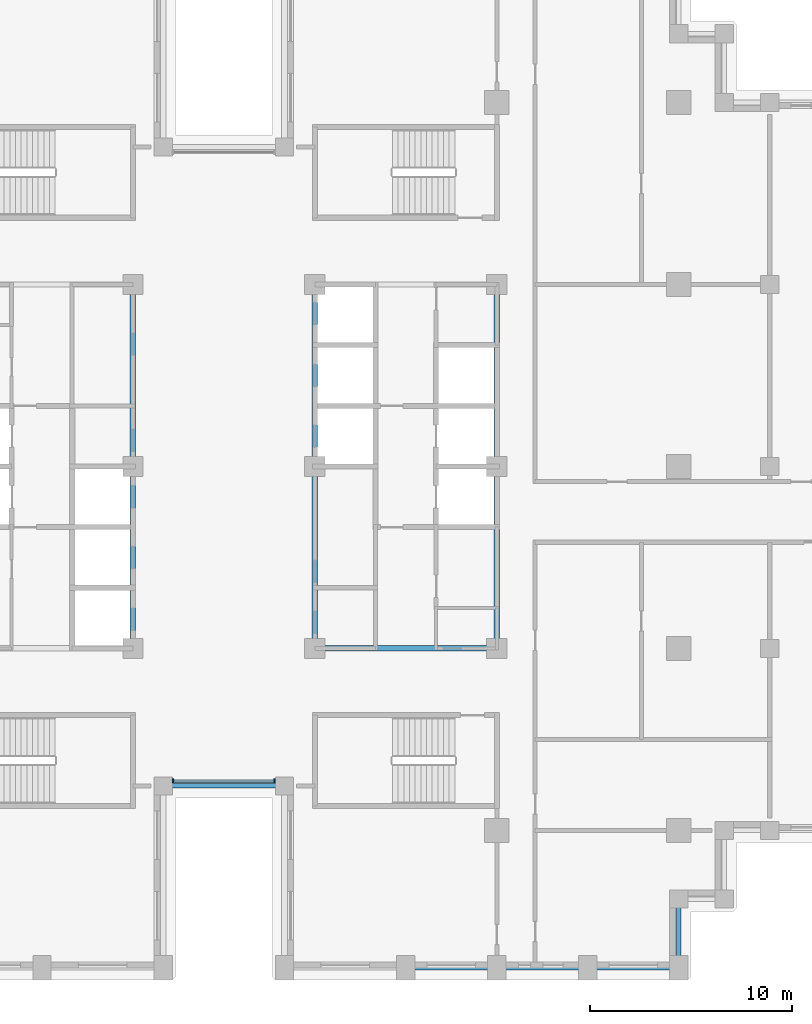
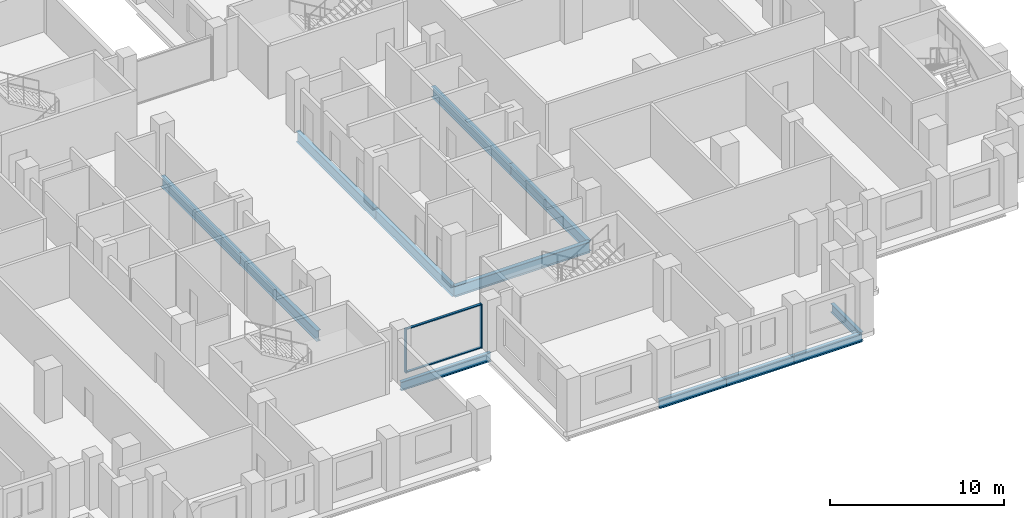
# One storey, part 2 of 16: 12 beams, 4 members, 1 element without a shape of its own.
"""IFC4 building model written with IfcOpenShell, lengths in metres."""

from ifc_helpers import new_model, si_unit, direction, frame, origin, origin_2d, place, context, subcontext, project, spatial, rectangle, i_section, extrude, material, layer, layer_set, material_profile, profile_set, type_object, element, aggregate, save


model = new_model("IFC4")

# Units and contexts
model_context = context("Model", 3, precision=1e-05, world=origin(), true_north=direction((0.0, 1.0)))
body_context = subcontext(model_context, "Body", "Model", "MODEL_VIEW")
ifc_project = project(units=[si_unit("LENGTHUNIT", "METRE"), si_unit("AREAUNIT", "SQUARE_METRE"), si_unit("VOLUMEUNIT", "CUBIC_METRE"), si_unit("PLANEANGLEUNIT", "RADIAN"), si_unit("MASSUNIT", "GRAM", prefix="KILO")], contexts=[model_context])

# Site, building, storey
site_placement = place(None, origin())
site = spatial("IfcSite", under=ifc_project, at=site_placement, CompositionType="ELEMENT")
building_placement = place(site_placement, origin())
building = spatial("IfcBuilding", under=site, at=building_placement, Name="Corbelhall Arena Tower", CompositionType="ELEMENT")
storey_placement = place(building_placement, frame((0.0, 0.0, 104.0)))
storey = spatial("IfcBuildingStorey", under=building, at=storey_placement, Name="L18", CompositionType="ELEMENT", Elevation=104.0)

# Curtain wall, members
ifc_material_1 = material(Name="Aluminium black anodised", Category="aluminium")
ifc_layer = layer(ifc_material_1, 0.199951171875)
ifc_layer_set = layer_set([ifc_layer], Name="EV-CW1 Slot back wall")
curtain_wall_type = type_object("IfcCurtainWallType", Name="EV-CW1 Slot back wall", PredefinedType="NOTDEFINED", material=ifc_layer_set)
curtain_wall_placement = place(storey_placement, origin())
curtain_wall = element("IfcCurtainWall", 1, at=curtain_wall_placement, inside=storey, type_object=curtain_wall_type, Name="Curtain wall CW1", PredefinedType="NOTDEFINED")
ifc_material_profile_1 = material_profile(ifc_material_1, rectangle(XDim=0.199951171875, YDim=0.074951171875, at=origin_2d()))
ifc_profile_set_1 = profile_set([ifc_material_profile_1], Name="Aluminium black anodised")
member_type_1 = type_object("IfcMemberType", Name="EV-CW1-MULLION", PredefinedType="MULLION", material=ifc_profile_set_1)
member_1_placement = place(storey_placement, frame((-2.512451171875, -15.550048828125, 0.0), z_axis=(0.0, 0.0, 1.0), x_axis=(0.0, 1.0, 0.0)))
member_1 = element("IfcMember", 2, at=member_1_placement, type_object=member_type_1, Name="CW1 mullion 1", PredefinedType="MULLION", context=body_context, shape_type="SweptSolid", body=[
    extrude(rectangle(XDim=0.199951171875, YDim=0.074951171875, at=origin_2d()), origin(), (0.0, 0.0, 1.0), 3.10009765625),
])
member_2_placement = place(storey_placement, frame((2.512451171875, -15.550048828125, 0.0), z_axis=(0.0, 0.0, 1.0), x_axis=(0.0, 1.0, 0.0)))
member_2 = element("IfcMember", 3, at=member_2_placement, type_object=member_type_1, Name="CW1 mullion 2", PredefinedType="MULLION", context=body_context, shape_type="SweptSolid", body=[
    extrude(rectangle(XDim=0.199951171875, YDim=0.074951171875, at=origin_2d()), origin(), (0.0, 0.0, 1.0), 3.10009765625),
])
ifc_material_profile_2 = material_profile(ifc_material_1, rectangle(XDim=0.14990234375, YDim=0.074951171875, at=origin_2d()))
ifc_profile_set_2 = profile_set([ifc_material_profile_2], Name="Aluminium black anodised")
member_type_2 = type_object("IfcMemberType", Name="EV-CW1-TRANSOM", PredefinedType="USERDEFINED", material=ifc_profile_set_2)
member_3_placement = place(storey_placement, frame((-2.47509765625, -15.550048828125, 0.03759765625), z_axis=(1.0, 0.0, 0.0), x_axis=(0.0, 1.0, 0.0)))
member_3 = element("IfcMember", 4, at=member_3_placement, type_object=member_type_2, Name="CW1 transom 1.1", ObjectType="transom", PredefinedType="USERDEFINED", context=body_context, shape_type="SweptSolid", body=[
    extrude(rectangle(XDim=0.14990234375, YDim=0.074951171875, at=origin_2d()), origin(), (0.0, 0.0, 1.0), 4.9501953125),
])
member_4_placement = place(storey_placement, frame((-2.47509765625, -15.550048828125, 3.0625), z_axis=(1.0, 0.0, 0.0), x_axis=(0.0, 1.0, 0.0)))
member_4 = element("IfcMember", 5, at=member_4_placement, type_object=member_type_2, Name="CW1 transom 1.2", ObjectType="transom", PredefinedType="USERDEFINED", context=body_context, shape_type="SweptSolid", body=[
    extrude(rectangle(XDim=0.14990234375, YDim=0.074951171875, at=origin_2d()), origin(), (0.0, 0.0, 1.0), 4.9501953125),
])
aggregate(curtain_wall, [member_1, member_2, member_3, member_4])

# Beams
ifc_material_2 = material(Name="Steel ASTM A992 Gr50", Category="steel")
ifc_material_profile_3 = material_profile(ifc_material_2, i_section(OverallWidth=0.2666015625, OverallDepth=0.761962890625, WebThickness=0.014404296875, FlangeThickness=0.021484375, at=origin_2d()))
ifc_profile_set_3 = profile_set([ifc_material_profile_3], Name="Steel ASTM A992 Gr50")
beam_type_1 = type_object("IfcBeamType", Name="ST-BEAM-W30x116", PredefinedType="BEAM", material=ifc_profile_set_3)
for number, where, z_axis, x_axis, name in (
    (6, (-4.5, -9.0, -0.680908203125), (0.0, 1.0, 0.0), (-1.0, 0.0, 0.0), "Beam CEW 3"),
    (7, (-4.5, 0.0, -0.680908203125), (0.0, 1.0, 0.0), (-1.0, 0.0, 0.0), "Beam CEW 4"),
    (8, (4.5, -9.0, -0.680908203125), (0.0, 1.0, 0.0), (-1.0, 0.0, 0.0), "Beam CEE 7"),
    (9, (4.5, 0.0, -0.680908203125), (0.0, 1.0, 0.0), (-1.0, 0.0, 0.0), "Beam CEE 8"),
    (10, (13.5, -9.0, -0.680908203125), (0.0, 1.0, 0.0), (-1.0, 0.0, 0.0), "Beam CEE 9"),
    (11, (13.5, 0.0, -0.680908203125), (0.0, 1.0, 0.0), (-1.0, 0.0, 0.0), "Beam CEE 10"),
    (12, (4.5, -9.0, -0.680908203125), (1.0, 0.0, 0.0), (0.0, 1.0, 0.0), "Beam CEE 11"),
):
    element("IfcBeam", number, at=place(storey_placement, frame(where, z_axis=z_axis, x_axis=x_axis)), inside=storey, type_object=beam_type_1, Name=name, PredefinedType="BEAM", context=body_context, shape_type="SweptSolid", body=[
        extrude(i_section(OverallWidth=0.2666015625, OverallDepth=0.761962890625, WebThickness=0.014404296875, FlangeThickness=0.021484375, at=origin_2d()), origin(), (0.0, 0.0, 1.0), 9.0),
    ])
ifc_material_profile_4 = material_profile(ifc_material_2, i_section(OverallWidth=0.23046875, OverallDepth=0.6171875, WebThickness=0.01318359375, FlangeThickness=0.022216796875, at=origin_2d()))
ifc_profile_set_4 = profile_set([ifc_material_profile_4], Name="Steel ASTM A992 Gr50")
beam_type_2 = type_object("IfcBeamType", Name="ST-SPANDREL-W24x94", PredefinedType="SPANDREL", material=ifc_profile_set_4)
for number, where, z_axis, x_axis, name in (
    (13, (13.5, -24.800048828125, -0.608642578125), (-1.0, 0.0, 0.0), (0.0, -1.0, 0.0), "Beam SP 29"),
    (14, (18.0, -24.800048828125, -0.608642578125), (-1.0, 0.0, 0.0), (0.0, -1.0, 0.0), "Beam SP 30"),
    (15, (22.5, -24.800048828125, -0.608642578125), (-1.0, 0.0, 0.0), (0.0, -1.0, 0.0), "Beam SP 31"),
):
    element("IfcBeam", number, at=place(storey_placement, frame(where, z_axis=z_axis, x_axis=x_axis)), inside=storey, type_object=beam_type_2, Name=name, PredefinedType="SPANDREL", context=body_context, shape_type="SweptSolid", body=[
        extrude(i_section(OverallWidth=0.23046875, OverallDepth=0.6171875, WebThickness=0.01318359375, FlangeThickness=0.022216796875, at=origin_2d()), origin(), (0.0, 0.0, 1.0), 4.5),
    ])
beam_1_placement = place(storey_placement, frame((3.0, -15.800048828125, -0.608642578125), z_axis=(-1.0, 0.0, 0.0), x_axis=(0.0, -1.0, 0.0)))
element("IfcBeam", 16, at=beam_1_placement, inside=storey, type_object=beam_type_2, Name="Beam SP 41", PredefinedType="SPANDREL", context=body_context, shape_type="SweptSolid", body=[
    extrude(i_section(OverallWidth=0.23046875, OverallDepth=0.6171875, WebThickness=0.01318359375, FlangeThickness=0.022216796875, at=origin_2d()), origin(), (0.0, 0.0, 1.0), 6.0),
])
beam_2_placement = place(storey_placement, frame((22.5, -21.39990234375, -0.608642578125), z_axis=(0.0, -1.0, 0.0), x_axis=(1.0, 0.0, 0.0)))
element("IfcBeam", 17, at=beam_2_placement, inside=storey, type_object=beam_type_2, Name="Beam SP 49", PredefinedType="SPANDREL", context=body_context, shape_type="SweptSolid", body=[
    extrude(i_section(OverallWidth=0.23046875, OverallDepth=0.6171875, WebThickness=0.01318359375, FlangeThickness=0.022216796875, at=origin_2d()), origin(), (0.0, 0.0, 1.0), 3.400146484375),
])

save(model, "model.ifc")
